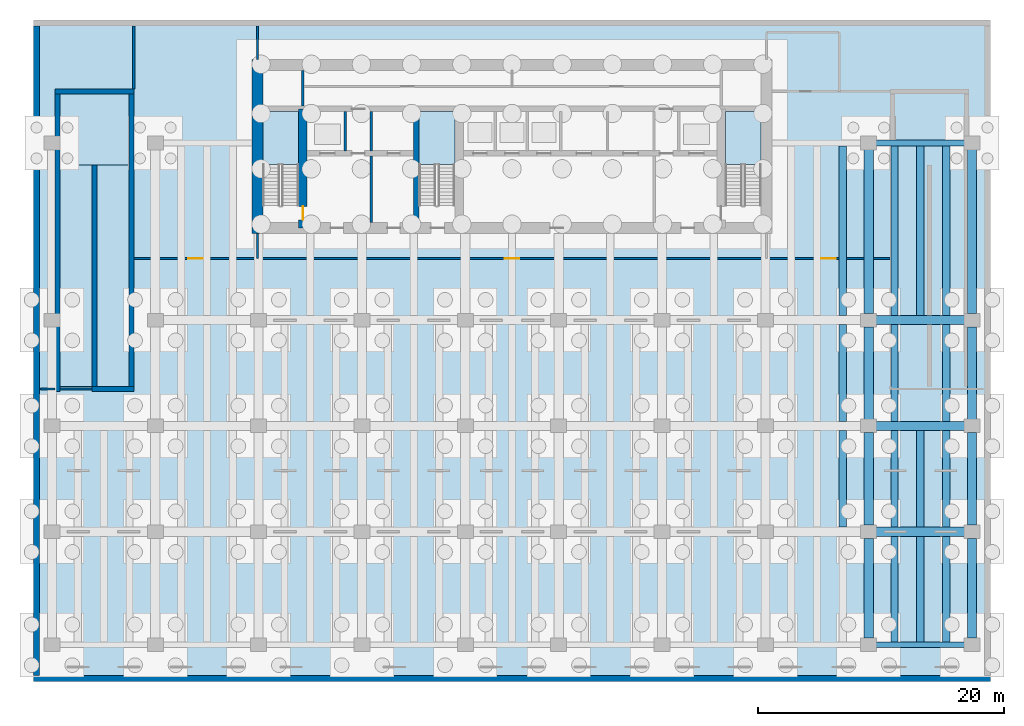
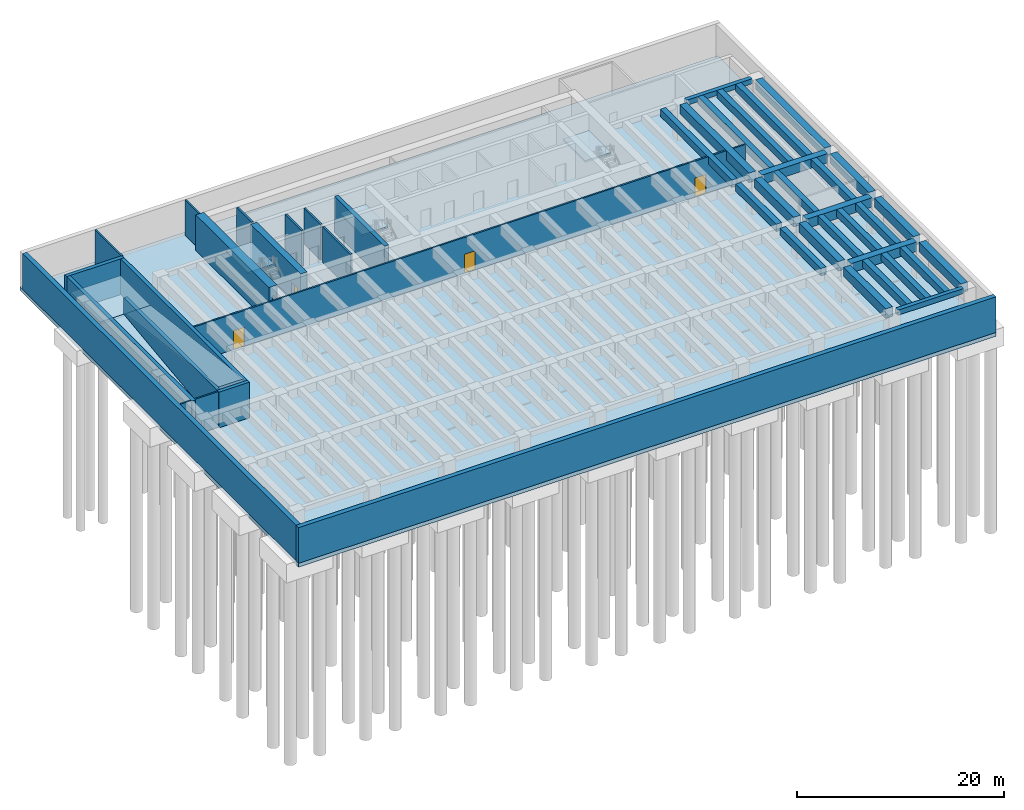
# One storey, part 4 of 10: 27 beams, 20 walls, 7 slabs, 4 doors, 4 openings, 3 elements without a shape of their own.
"""IFC4 building model written with IfcOpenShell, lengths in metres."""

from ifc_helpers import new_model, si_unit, direction, frame, frame_2d, origin, origin_2d, place, context, subcontext, project, spatial, polyline, rectangle, outline, extrude, material, layer, layer_set, material_profile, profile_set, type_object, element, fill, aggregate, save


model = new_model("IFC4")

# Units and contexts
model_context = context("Model", 3, precision=1e-05, world=origin(), true_north=direction((0.0, 1.0)))
body_context = subcontext(model_context, "Body", "Model", "MODEL_VIEW")
ifc_project = project(units=[si_unit("LENGTHUNIT", "METRE"), si_unit("AREAUNIT", "SQUARE_METRE"), si_unit("VOLUMEUNIT", "CUBIC_METRE"), si_unit("PLANEANGLEUNIT", "RADIAN"), si_unit("MASSUNIT", "GRAM", prefix="KILO")], contexts=[model_context])

# Site, building, storey
site_placement = place(None, origin())
site = spatial("IfcSite", under=ifc_project, at=site_placement, CompositionType="ELEMENT")
building_placement = place(site_placement, origin())
building = spatial("IfcBuilding", under=site, at=building_placement, Name="Caelmar Bay Residences", CompositionType="ELEMENT")
storey_placement = place(building_placement, frame((0.0, 0.0, -9.0)))
storey = spatial("IfcBuildingStorey", under=building, at=storey_placement, Name="B02", CompositionType="ELEMENT", Elevation=-9.0)

# Beams
ifc_material_1 = material(Name="Concrete f'c 40 MPa (6,000 psi)", Category="concrete")
ifc_material_profile_1 = material_profile(ifc_material_1, rectangle(XDim=0.449951171875, YDim=0.60009765625, at=origin_2d()), Name="RC-BM-450X600")
ifc_profile_set_1 = profile_set([ifc_material_profile_1], Name="Concrete f'c 40 MPa (6,000 psi)")
beam_type_1 = type_object("IfcBeamType", Name="BM-RC-450X600", PredefinedType="SPANDREL", material=ifc_profile_set_1)
for number, where, z_axis, x_axis, name in (
    (1, (68.43994140625, 3.0, 3.89990234375), (1.0, 0.0, 0.0), (0.0, 1.0, 0.0), "B02 East-West Girder Y=3.00 (67.9-76.3)"),
    (2, (68.43994140625, 43.800048828125, 3.89990234375), (1.0, 0.0, 0.0), (0.0, 1.0, 0.0), "B02 East-West Girder Y=43.80 (67.9-76.3)"),
):
    element("IfcBeam", number, at=place(storey_placement, frame(where, z_axis=z_axis, x_axis=x_axis)), inside=storey, type_object=beam_type_1, Name=name, PredefinedType="SPANDREL", context=body_context, shape_type="SweptSolid", body=[
        extrude(rectangle(XDim=0.449951171875, YDim=0.60009765625, at=origin_2d()), origin(), (0.0, 0.0, 1.0), 7.320068359375),
    ])
ifc_material_2 = material(Name="Concrete f'c 70 MPa (10,000 psi)", Category="concrete")
ifc_material_profile_2 = material_profile(ifc_material_2, rectangle(XDim=0.60009765625, YDim=0.85009765625, at=origin_2d()), Name="RC-BM-600X850")
ifc_profile_set_2 = profile_set([ifc_material_profile_2], Name="Concrete f'c 70 MPa (10,000 psi)")
beam_type_2 = type_object("IfcBeamType", Name="BM-RC-600X850", PredefinedType="BEAM", material=ifc_profile_set_2)
for number, where, z_axis, x_axis, name in (
    (3, (70.0, 3.22509765625, 3.77490234375), (0.0, 1.0, 0.0), (-1.0, 0.0, 0.0), "B02 Composite Floor Joist 25"),
    (4, (72.10009765625, 3.22509765625, 3.77490234375), (0.0, 1.0, 0.0), (-1.0, 0.0, 0.0), "B02 Composite Floor Joist 26"),
    (5, (74.199951171875, 3.22509765625, 3.77490234375), (0.0, 1.0, 0.0), (-1.0, 0.0, 0.0), "B02 Composite Floor Joist 27"),
):
    element("IfcBeam", number, at=place(storey_placement, frame(where, z_axis=z_axis, x_axis=x_axis)), inside=storey, type_object=beam_type_2, Name=name, PredefinedType="BEAM", context=body_context, shape_type="SweptSolid", body=[
        extrude(rectangle(XDim=0.60009765625, YDim=0.85009765625, at=origin_2d()), origin(), (0.0, 0.0, 1.0), 8.599853515625),
    ])
for number, where, z_axis, x_axis, name in (
    (6, (65.800048828125, 12.574951171875, 3.77490234375), (0.0, 1.0, 0.0), (-1.0, 0.0, 0.0), "B02 Composite Floor Joist 51"),
    (7, (70.0, 12.574951171875, 3.77490234375), (0.0, 1.0, 0.0), (-1.0, 0.0, 0.0), "B02 Composite Floor Joist 52"),
    (8, (72.10009765625, 12.574951171875, 3.77490234375), (0.0, 1.0, 0.0), (-1.0, 0.0, 0.0), "B02 Composite Floor Joist 53"),
    (9, (74.199951171875, 12.574951171875, 3.77490234375), (0.0, 1.0, 0.0), (-1.0, 0.0, 0.0), "B02 Composite Floor Joist 54"),
):
    element("IfcBeam", number, at=place(storey_placement, frame(where, z_axis=z_axis, x_axis=x_axis)), inside=storey, type_object=beam_type_2, Name=name, PredefinedType="BEAM", context=body_context, shape_type="SweptSolid", body=[
        extrude(rectangle(XDim=0.60009765625, YDim=0.85009765625, at=origin_2d()), origin(), (0.0, 0.0, 1.0), 7.85009765625),
    ])
for number, where, z_axis, x_axis, name in (
    (10, (65.800048828125, 21.175048828125, 3.77490234375), (0.0, 1.0, 0.0), (-1.0, 0.0, 0.0), "B02 Composite Floor Joist 75"),
    (11, (70.0, 21.175048828125, 3.77490234375), (0.0, 1.0, 0.0), (-1.0, 0.0, 0.0), "B02 Composite Floor Joist 76"),
    (12, (74.199951171875, 21.175048828125, 3.77490234375), (0.0, 1.0, 0.0), (-1.0, 0.0, 0.0), "B02 Composite Floor Joist 77"),
):
    element("IfcBeam", number, at=place(storey_placement, frame(where, z_axis=z_axis, x_axis=x_axis)), inside=storey, type_object=beam_type_2, Name=name, PredefinedType="BEAM", context=body_context, shape_type="SweptSolid", body=[
        extrude(rectangle(XDim=0.60009765625, YDim=0.85009765625, at=origin_2d()), origin(), (0.0, 0.0, 1.0), 7.849853515625),
    ])
for number, where, z_axis, x_axis, name in (
    (13, (65.800048828125, 29.77490234375, 3.77490234375), (0.0, 1.0, 0.0), (-1.0, 0.0, 0.0), "B02 Composite Floor Joist 88"),
    (14, (70.0, 29.77490234375, 3.77490234375), (0.0, 1.0, 0.0), (-1.0, 0.0, 0.0), "B02 Composite Floor Joist 89"),
    (15, (72.10009765625, 29.77490234375, 3.77490234375), (0.0, 1.0, 0.0), (-1.0, 0.0, 0.0), "B02 Composite Floor Joist 90"),
    (16, (74.199951171875, 29.77490234375, 3.77490234375), (0.0, 1.0, 0.0), (-1.0, 0.0, 0.0), "B02 Composite Floor Joist 91"),
):
    element("IfcBeam", number, at=place(storey_placement, frame(where, z_axis=z_axis, x_axis=x_axis)), inside=storey, type_object=beam_type_2, Name=name, PredefinedType="BEAM", context=body_context, shape_type="SweptSolid", body=[
        extrude(rectangle(XDim=0.60009765625, YDim=0.85009765625, at=origin_2d()), origin(), (0.0, 0.0, 1.0), 13.800048828125),
    ])
ifc_material_profile_3 = material_profile(ifc_material_2, rectangle(XDim=0.75, YDim=1.10009765625, at=origin_2d()), Name="RC-BM-750X1100")
ifc_profile_set_3 = profile_set([ifc_material_profile_3], Name="Concrete f'c 70 MPa (10,000 psi)")
beam_type_3 = type_object("IfcBeamType", Name="BM-RC-750X1100", PredefinedType="BEAM", material=ifc_profile_set_3)
for number, where, z_axis, x_axis, name in (
    (17, (68.43994140625, 12.199951171875, 3.64990234375), (1.0, 0.0, 0.0), (0.0, 1.0, 0.0), "B02 East-West Girder Y=12.20 (67.9-76.3)"),
    (18, (68.43994140625, 20.800048828125, 3.64990234375), (1.0, 0.0, 0.0), (0.0, 1.0, 0.0), "B02 East-West Girder Y=20.80 (67.9-76.3)"),
    (19, (68.43994140625, 29.39990234375, 3.64990234375), (1.0, 0.0, 0.0), (0.0, 1.0, 0.0), "B02 East-West Girder Y=29.40 (67.9-76.3)"),
):
    element("IfcBeam", number, at=place(storey_placement, frame(where, z_axis=z_axis, x_axis=x_axis)), inside=storey, type_object=beam_type_3, Name=name, PredefinedType="BEAM", context=body_context, shape_type="SweptSolid", body=[
        extrude(rectangle(XDim=0.75, YDim=1.10009765625, at=origin_2d()), origin(), (0.0, 0.0, 1.0), 7.320068359375),
    ])
beam_1_placement = place(storey_placement, frame((67.89990234375, 3.5400390625, 3.64990234375), z_axis=(0.0, 1.0, 0.0), x_axis=(-1.0, 0.0, 0.0)))
element("IfcBeam", 20, at=beam_1_placement, inside=storey, type_object=beam_type_3, Name="B02 North-South Girder X=67.90 (3.0-12.2)", PredefinedType="BEAM", context=body_context, shape_type="SweptSolid", body=[
    extrude(rectangle(XDim=0.75, YDim=1.10009765625, at=origin_2d()), origin(), (0.0, 0.0, 1.0), 8.119873046875),
])
for number, where, z_axis, x_axis, name in (
    (21, (67.89990234375, 12.739990234375, 3.64990234375), (0.0, 1.0, 0.0), (-1.0, 0.0, 0.0), "B02 North-South Girder X=67.90 (12.2-20.8)"),
    (22, (67.89990234375, 21.340087890625, 3.64990234375), (0.0, 1.0, 0.0), (-1.0, 0.0, 0.0), "B02 North-South Girder X=67.90 (20.8-29.4)"),
):
    element("IfcBeam", number, at=place(storey_placement, frame(where, z_axis=z_axis, x_axis=x_axis)), inside=storey, type_object=beam_type_3, Name=name, PredefinedType="BEAM", context=body_context, shape_type="SweptSolid", body=[
        extrude(rectangle(XDim=0.75, YDim=1.10009765625, at=origin_2d()), origin(), (0.0, 0.0, 1.0), 7.52001953125),
    ])
beam_2_placement = place(storey_placement, frame((67.89990234375, 29.93994140625, 3.64990234375), z_axis=(0.0, 1.0, 0.0), x_axis=(-1.0, 0.0, 0.0)))
element("IfcBeam", 23, at=beam_2_placement, inside=storey, type_object=beam_type_3, Name="B02 North-South Girder X=67.90 (29.4-43.8)", PredefinedType="BEAM", context=body_context, shape_type="SweptSolid", body=[
    extrude(rectangle(XDim=0.75, YDim=1.10009765625, at=origin_2d()), origin(), (0.0, 0.0, 1.0), 13.320068359375),
])
beam_3_placement = place(storey_placement, frame((76.300048828125, 3.5400390625, 3.64990234375), z_axis=(0.0, 1.0, 0.0), x_axis=(-1.0, 0.0, 0.0)))
element("IfcBeam", 24, at=beam_3_placement, inside=storey, type_object=beam_type_3, Name="B02 North-South Girder X=76.30 (3.0-12.2)", PredefinedType="BEAM", context=body_context, shape_type="SweptSolid", body=[
    extrude(rectangle(XDim=0.75, YDim=1.10009765625, at=origin_2d()), origin(), (0.0, 0.0, 1.0), 8.119873046875),
])
for number, where, z_axis, x_axis, name in (
    (25, (76.300048828125, 12.739990234375, 3.64990234375), (0.0, 1.0, 0.0), (-1.0, 0.0, 0.0), "B02 North-South Girder X=76.30 (12.2-20.8)"),
    (26, (76.300048828125, 21.340087890625, 3.64990234375), (0.0, 1.0, 0.0), (-1.0, 0.0, 0.0), "B02 North-South Girder X=76.30 (20.8-29.4)"),
):
    element("IfcBeam", number, at=place(storey_placement, frame(where, z_axis=z_axis, x_axis=x_axis)), inside=storey, type_object=beam_type_3, Name=name, PredefinedType="BEAM", context=body_context, shape_type="SweptSolid", body=[
        extrude(rectangle(XDim=0.75, YDim=1.10009765625, at=origin_2d()), origin(), (0.0, 0.0, 1.0), 7.52001953125),
    ])
beam_4_placement = place(storey_placement, frame((76.300048828125, 29.93994140625, 3.64990234375), z_axis=(0.0, 1.0, 0.0), x_axis=(-1.0, 0.0, 0.0)))
element("IfcBeam", 27, at=beam_4_placement, inside=storey, type_object=beam_type_3, Name="B02 North-South Girder X=76.30 (29.4-43.8)", PredefinedType="BEAM", context=body_context, shape_type="SweptSolid", body=[
    extrude(rectangle(XDim=0.75, YDim=1.10009765625, at=origin_2d()), origin(), (0.0, 0.0, 1.0), 13.320068359375),
])

# Slab
ifc_layer_1 = layer(ifc_material_1, 0.449951171875)
ifc_layer_set_1 = layer_set([ifc_layer_1], Name="Concrete f'c 40 MPa (6,000 psi)")
slab_type_1 = type_object("IfcSlabType", Name="SLB-BAS-450", PredefinedType="BASESLAB", material=ifc_layer_set_1)
slab_1_placement = place(storey_placement, frame((0.0, 0.0, -0.449951171875)))
element("IfcSlab", 28, at=slab_1_placement, inside=storey, type_object=slab_type_1, Name="B02 Structural Floor Slab", PredefinedType="BASESLAB", context=body_context, shape_type="SweptSolid", body=[
    extrude(outline(polyline([(0.0, 0.0), (77.800048828125, 0.0), (77.800048828125, 53.800048828125), (0.0, 53.800048828125), (0.0, 0.0)]), holes=[polyline([(2.14990234375, 24.0), (4.949951171875, 24.0), (4.949951171875, 26.35009765625), (2.14990234375, 26.35009765625), (2.14990234375, 24.0)])]), origin(), (0.0, 0.0, 1.0), 0.449951171875),
])

# Stair, slab
stair_type = type_object("IfcStairType", Name="ST-BSM-173", PredefinedType="HALF_TURN_STAIR", material=ifc_material_1)
stair_1_placement = place(storey_placement, origin())
stair_1 = element("IfcStair", 29, at=stair_1_placement, inside=storey, type_object=stair_type, Name="B02 West Smokeproof Exit Stair ST1", PredefinedType="HALF_TURN_STAIR")
ifc_layer_2 = layer(ifc_material_1, 0.199951171875)
ifc_layer_set_2 = layer_set([ifc_layer_2], Name="Concrete f'c 40 MPa (6,000 psi)")
slab_type_2 = type_object("IfcSlabType", Name="SLB-LND-200", PredefinedType="LANDING", material=ifc_layer_set_2)
slab_2_placement = place(storey_placement, frame((0.0, 0.0, 2.050048828125)))
slab_2 = element("IfcSlab", 30, at=slab_2_placement, type_object=slab_type_2, Name="ST1 landing 1", PredefinedType="LANDING", context=body_context, shape_type="SweptSolid", body=[
    extrude(outline(polyline([(21.550048828125, 42.06005859375), (21.550048828125, 46.35009765625), (18.64990234375, 46.35009765625), (18.64990234375, 42.06005859375), (21.550048828125, 42.06005859375)])), origin(), (0.0, 0.0, 1.0), 0.199951171875),
])
aggregate(stair_1, [slab_2])

stair_2_placement = place(storey_placement, origin())
stair_2 = element("IfcStair", 31, at=stair_2_placement, inside=storey, type_object=stair_type, Name="B02 East Smokeproof Exit Stair ST2", PredefinedType="HALF_TURN_STAIR")
slab_3_placement = place(storey_placement, frame((0.0, 0.0, 2.050048828125)))
slab_3 = element("IfcSlab", 32, at=slab_3_placement, type_object=slab_type_2, Name="ST2 landing 1", PredefinedType="LANDING", context=body_context, shape_type="SweptSolid", body=[
    extrude(outline(polyline([(59.14990234375, 42.06005859375), (59.14990234375, 46.35009765625), (56.25, 46.35009765625), (56.25, 42.06005859375), (59.14990234375, 42.06005859375)])), origin(), (0.0, 0.0, 1.0), 0.199951171875),
])
aggregate(stair_2, [slab_3])

stair_3_placement = place(storey_placement, origin())
stair_3 = element("IfcStair", 33, at=stair_3_placement, inside=storey, type_object=stair_type, Name="B02 Central Smokeproof Exit Stair ST3", PredefinedType="HALF_TURN_STAIR")
slab_4_placement = place(storey_placement, frame((0.0, 0.0, 2.050048828125)))
slab_4 = element("IfcSlab", 34, at=slab_4_placement, type_object=slab_type_2, Name="ST3 landing 1", PredefinedType="LANDING", context=body_context, shape_type="SweptSolid", body=[
    extrude(outline(polyline([(34.25, 42.06005859375), (34.25, 46.35009765625), (31.35009765625, 46.35009765625), (31.35009765625, 42.06005859375), (34.25, 42.06005859375)])), origin(), (0.0, 0.0, 1.0), 0.199951171875),
])
aggregate(stair_3, [slab_4])

# Slabs
ifc_layer_3 = layer(ifc_material_1, 0.280029296875)
ifc_layer_set_3 = layer_set([ifc_layer_3], Name="Concrete f'c 40 MPa (6,000 psi)")
slab_type_3 = type_object("IfcSlabType", Name="SLB-RLND-280", PredefinedType="LANDING", material=ifc_layer_set_3)
slab_5_placement = place(storey_placement, frame((0.0, 0.0, 1.969970703125)))
element("IfcSlab", 35, at=slab_5_placement, inside=storey, type_object=slab_type_3, Name="Car park vehicle ramp B02 to B01 Half-Turn Landing", PredefinedType="LANDING", context=body_context, shape_type="SweptSolid", body=[
    extrude(outline(polyline([(2.14990234375, 42.0), (7.75, 42.0), (7.75, 47.800048828125), (2.14990234375, 47.800048828125), (2.14990234375, 42.0)])), origin(), (0.0, 0.0, 1.0), 0.280029296875),
])
ifc_layer_4 = layer(ifc_material_1, 0.280029296875)
ifc_layer_set_4 = layer_set([ifc_layer_4], Name="Concrete f'c 40 MPa (6,000 psi)")
slab_type_4 = type_object("IfcSlabType", Name="SLB-VRMP-280", PredefinedType="USERDEFINED", material=ifc_layer_set_4)
slab_6_placement = place(storey_placement, frame((2.14990234375, 24.0, 0.0), z_axis=(0.0, -0.124034734589, 0.992277876714), x_axis=(1.0, 0.0, 0.0)))
element("IfcSlab", 36, at=slab_6_placement, inside=storey, type_object=slab_type_4, Name="Car park vehicle ramp B02 to B01 Lower Structural Ramp Slab", ObjectType="VEHICLE_RAMP", PredefinedType="USERDEFINED", context=body_context, shape_type="SweptSolid", body=[
    extrude(outline(polyline([(0.0, 0.0), (2.800048828125, 0.0), (2.800048828125, 18.140079933671736), (0.0, 18.140079933671736), (0.0, 0.0)])), origin(), (0.0, 0.0, -1.0), 0.280029296875),
])
slab_7_placement = place(storey_placement, frame((4.949951171875, 42.0, 2.25), z_axis=(0.0, 0.124034734589, 0.992277876714), x_axis=(1.0, 0.0, 0.0)))
element("IfcSlab", 37, at=slab_7_placement, inside=storey, type_object=slab_type_4, Name="Car park vehicle ramp B02 to B01 Upper Structural Ramp Slab", ObjectType="VEHICLE_RAMP", PredefinedType="USERDEFINED", context=body_context, shape_type="SweptSolid", body=[
    extrude(outline(polyline([(0.0, 0.0), (2.800048828125, 0.0), (2.800048828125, -18.140079933671736), (0.0, -18.140079933671736), (0.0, 0.0)])), origin(), (0.0, 0.0, -1.0), 0.280029296875),
])

# Walls
ifc_layer_5 = layer(ifc_material_1, 0.5)
ifc_layer_set_5 = layer_set([ifc_layer_5], Name="Concrete f'c 40 MPa (6,000 psi)")
wall_type_1 = type_object("IfcWallType", Name="SW-BSM-500", PredefinedType="SOLIDWALL", material=ifc_layer_set_5)
wall_1_placement = place(storey_placement, frame((77.800048828125, 0.25, 0.0), z_axis=(0.0, 0.0, 1.0), x_axis=(-1.0, 0.0, 0.0)))
element("IfcWall", 38, at=wall_1_placement, inside=storey, type_object=wall_type_1, Name="B02 Perimeter Concrete Retaining Wall S", PredefinedType="SOLIDWALL", context=body_context, shape_type="SweptSolid", body=[
    extrude(rectangle(XDim=77.800048828125, YDim=0.5, at=frame_2d((38.89990234375, 0.0))), origin(), (0.0, 0.0, 1.0), 4.199951171875),
])
wall_2_placement = place(storey_placement, frame((0.25, 0.5, 0.0), z_axis=(0.0, 0.0, 1.0), x_axis=(0.0, 1.0, 0.0)))
element("IfcWall", 39, at=wall_2_placement, inside=storey, type_object=wall_type_1, Name="B02 Perimeter Concrete Retaining Wall W", PredefinedType="SOLIDWALL", context=body_context, shape_type="SweptSolid", body=[
    extrude(rectangle(XDim=52.800048828125, YDim=0.5, at=frame_2d((26.39990234375, 0.0))), origin(), (0.0, 0.0, 1.0), 4.199951171875),
])

# Wall, opening, door
ifc_material_3 = material(Name="Concrete f'c 55 MPa (8,000 psi)", Category="concrete")
ifc_layer_6 = layer(ifc_material_3, 0.699951171875)
ifc_layer_set_6 = layer_set([ifc_layer_6], Name="Concrete f'c 55 MPa (8,000 psi)")
wall_type_2 = type_object("IfcWallType", Name="SW-COR-700", PredefinedType="SHEAR", material=ifc_layer_set_6)
wall_3_placement = place(storey_placement, frame((21.89990234375, 36.89990234375, 0.0), z_axis=(0.0, 0.0, 1.0), x_axis=(0.0, 1.0, 0.0)))
wall_3 = element("IfcWall", 40, at=wall_3_placement, inside=storey, type_object=wall_type_2, Name="B02 Core Structural Web Wall ST1E", PredefinedType="SHEAR", context=body_context, shape_type="SweptSolid", body=[
    extrude(rectangle(XDim=9.675048828125, YDim=0.699951171875, at=frame_2d((4.83740234375, 0.0))), origin(), (0.0, 0.0, 1.0), 4.199951171875),
])
opening_1_placement = place(wall_3_placement, frame((0.64990234375, 0.0, 0.0)))
opening_1 = element("IfcOpeningElement", 41, at=opening_1_placement, cuts=wall_3, Name="Opening D-B02-108", PredefinedType="OPENING", context=body_context, shape_type="SweptSolid", body=[
    extrude(rectangle(XDim=1.10009765625, YDim=2.14990234375, at=frame_2d((0.550048828125, 1.074951171875))), frame((0.0, 0.35986328125, 0.0), z_axis=(0.0, -1.0, 0.0), x_axis=(1.0, 0.0, 0.0)), (0.0, 0.0, 1.0), 0.719970703125),
])
ifc_material_4 = material(Name="Fire-rated steel and walnut architectural door assembly", Category="steel")
ifc_layer_7 = layer(ifc_material_4, 0.050048828125)
ifc_layer_set_7 = layer_set([ifc_layer_7], Name="Fire-rated steel and walnut architectural door assembly")
door_type_1 = type_object("IfcDoorType", Name="D-STAIR-1100", OperationType="NOTDEFINED", PredefinedType="DOOR", material=ifc_layer_set_7)
door_1_placement = place(opening_1_placement, origin())
door_1 = element("IfcDoor", 42, at=door_1_placement, inside=storey, type_object=door_type_1, Name="B02 Firefighting Lobby West Door", OperationType="SINGLE_SWING_LEFT", OverallHeight=2.14990234375, OverallWidth=1.10009765625, PredefinedType="DOOR", context=body_context, shape_type="SweptSolid", body=[
    extrude(rectangle(XDim=1.10009765625, YDim=2.14990234375, at=frame_2d((0.550048828125, 1.074951171875))), frame((0.0, 0.02490234375, 0.0), z_axis=(0.0, -1.0, 0.0), x_axis=(1.0, 0.0, 0.0)), (0.0, 0.0, 1.0), 0.050048828125),
])
fill(opening_1, door_1)

# Walls
ifc_layer_8 = layer(ifc_material_2, 0.89990234375)
ifc_layer_set_8 = layer_set([ifc_layer_8], Name="Concrete f'c 70 MPa (10,000 psi)")
wall_type_3 = type_object("IfcWallType", Name="SW-COR-900", PredefinedType="SHEAR", material=ifc_layer_set_8)
wall_4_placement = place(storey_placement, frame((18.199951171875, 36.449951171875, 0.0), z_axis=(0.0, 0.0, 1.0), x_axis=(0.0, 1.0, 0.0)))
element("IfcWall", 43, at=wall_4_placement, inside=storey, type_object=wall_type_3, Name="B02 Rear Core West Shear Wall", PredefinedType="SHEAR", context=body_context, shape_type="SweptSolid", body=[
    extrude(rectangle(XDim=14.150146484375, YDim=0.89990234375, at=frame_2d((7.0751953125, 0.0))), origin(), (0.0, 0.0, 1.0), 4.199951171875),
])
ifc_layer_9 = layer(ifc_material_1, 0.39990234375)
ifc_layer_set_9 = layer_set([ifc_layer_9], Name="Concrete f'c 40 MPa (6,000 psi)")
wall_type_4 = type_object("IfcWallType", Name="SW-RMP-400", PredefinedType="SHEAR", material=ifc_layer_set_9)
wall_5_placement = place(storey_placement, frame((1.75, 48.0, 0.0), z_axis=(0.0, 0.0, 1.0), x_axis=(1.0, 0.0, 0.0)))
element("IfcWall", 44, at=wall_5_placement, inside=storey, type_object=wall_type_4, Name="Car park vehicle ramp B02 to B01 Structural Enclosure Wall N", PredefinedType="SHEAR", context=body_context, shape_type="SweptSolid", body=[
    extrude(rectangle(XDim=6.39990234375, YDim=0.39990234375, at=frame_2d((3.199951171875, 0.0))), origin(), (0.0, 0.0, 1.0), 4.199951171875),
])
for number, where, z_axis, x_axis, name in (
    (45, (1.949951171875, 23.60009765625, 0.0), (0.0, 0.0, 1.0), (0.0, 1.0, 0.0), "Car park vehicle ramp B02 to B01 Structural Enclosure Wall W"),
    (46, (7.949951171875, 23.60009765625, 0.0), (0.0, 0.0, 1.0), (0.0, 1.0, 0.0), "Car park vehicle ramp B02 to B01 Structural Enclosure Wall E"),
):
    element("IfcWall", number, at=place(storey_placement, frame(where, z_axis=z_axis, x_axis=x_axis)), inside=storey, type_object=wall_type_4, Name=name, PredefinedType="SHEAR", context=body_context, shape_type="SweptSolid", body=[
        extrude(rectangle(XDim=24.199951171875, YDim=0.39990234375, at=frame_2d((12.10009765625, 0.0))), origin(), (0.0, 0.0, 1.0), 4.199951171875),
    ])
wall_6_placement = place(storey_placement, frame((4.949951171875, 23.60009765625, 0.0), z_axis=(0.0, 0.0, 1.0), x_axis=(0.0, 1.0, 0.0)))
element("IfcWall", 47, at=wall_6_placement, inside=storey, type_object=wall_type_4, Name="Car park vehicle ramp B02 to B01 Structural Enclosure Wall M", PredefinedType="SHEAR", context=body_context, shape_type="SweptSolid", body=[
    extrude(rectangle(XDim=18.39990234375, YDim=0.39990234375, at=frame_2d((9.199951171875, 0.0))), origin(), (0.0, 0.0, 1.0), 4.199951171875),
])
wall_7_placement = place(storey_placement, frame((4.75, 23.800048828125, 0.0), z_axis=(0.0, 0.0, 1.0), x_axis=(1.0, 0.0, 0.0)))
element("IfcWall", 48, at=wall_7_placement, inside=storey, type_object=wall_type_4, Name="Car park vehicle ramp B02 to B01 Structural Enclosure Wall SE", PredefinedType="SHEAR", context=body_context, shape_type="SweptSolid", body=[
    extrude(rectangle(XDim=3.39990234375, YDim=0.39990234375, at=frame_2d((1.699951171875, 0.0))), origin(), (0.0, 0.0, 1.0), 4.199951171875),
])
ifc_layer_10 = layer(ifc_material_2, 0.449951171875)
ifc_layer_set_10 = layer_set([ifc_layer_10], Name="Concrete f'c 70 MPa (10,000 psi)")
wall_type_5 = type_object("IfcWallType", Name="SW-WEB-450", PredefinedType="SHEAR", material=ifc_layer_set_10)
wall_8_placement = place(storey_placement, frame((31.125, 36.89990234375, 0.0), z_axis=(0.0, 0.0, 1.0), x_axis=(0.0, 1.0, 0.0)))
element("IfcWall", 49, at=wall_8_placement, inside=storey, type_object=wall_type_5, Name="B02 Core Structural Web Wall ST3W", PredefinedType="SHEAR", context=body_context, shape_type="SweptSolid", body=[
    extrude(rectangle(XDim=9.675048828125, YDim=0.449951171875, at=frame_2d((4.83740234375, 0.0))), origin(), (0.0, 0.0, 1.0), 4.199951171875),
])
ifc_material_5 = material(Name="Double-stud acoustic fire-rated gypsum partition 180 mm")
ifc_layer_11 = layer(ifc_material_5, 0.179931640625)
ifc_layer_set_11 = layer_set([ifc_layer_11], Name="Double-stud acoustic fire-rated gypsum partition 180 mm")
wall_type_6 = type_object("IfcWallType", Name="W-COR-200", PredefinedType="PARTITIONING", material=ifc_layer_set_11)
wall_9_placement = place(storey_placement, frame((8.14990234375, 48.195068359375, 0.0), z_axis=(0.0, 0.0, 1.0), x_axis=(0.0, 1.0, 0.0)))
element("IfcWall", 50, at=wall_9_placement, inside=storey, type_object=wall_type_6, Name="B02 Partition Wall V001", PredefinedType="PARTITIONING", context=body_context, shape_type="SweptSolid", body=[
    extrude(rectangle(XDim=5.10498046875, YDim=0.179931640625, at=frame_2d((2.552490234375, 0.0))), origin(), (0.0, 0.0, 1.0), 4.199951171875),
])
wall_10_placement = place(storey_placement, frame((18.199951171875, 34.39990234375, 0.0), z_axis=(0.0, 0.0, 1.0), x_axis=(0.0, 1.0, 0.0)))
element("IfcWall", 51, at=wall_10_placement, inside=storey, type_object=wall_type_6, Name="B02 Partition Wall V002", PredefinedType="PARTITIONING", context=body_context, shape_type="SweptSolid", body=[
    extrude(rectangle(XDim=2.045166015625, YDim=0.179931640625, at=frame_2d((1.0224609375, 0.0))), origin(), (0.0, 0.0, 1.0), 3.0849609375),
])
wall_11_placement = place(storey_placement, frame((18.199951171875, 50.60498046875, 0.0), z_axis=(0.0, 0.0, 1.0), x_axis=(0.0, 1.0, 0.0)))
element("IfcWall", 52, at=wall_11_placement, inside=storey, type_object=wall_type_6, Name="B02 Partition Wall V003", PredefinedType="PARTITIONING", context=body_context, shape_type="SweptSolid", body=[
    extrude(rectangle(XDim=2.695068359375, YDim=0.179931640625, at=frame_2d((1.34765625, 0.0))), origin(), (0.0, 0.0, 1.0), 4.199951171875),
])
wall_12_placement = place(storey_placement, frame((27.449951171875, 43.169921875, 0.0), z_axis=(0.0, 0.0, 1.0), x_axis=(0.0, 1.0, 0.0)))
element("IfcWall", 53, at=wall_12_placement, inside=storey, type_object=wall_type_6, Name="B02 Partition Wall V007", PredefinedType="PARTITIONING", context=body_context, shape_type="SweptSolid", body=[
    extrude(rectangle(XDim=3.18505859375, YDim=0.179931640625, at=frame_2d((1.592529296875, 0.0))), origin(), (0.0, 0.0, 1.0), 4.199951171875),
])
wall_13_placement = place(storey_placement, frame((0.550048828125, 23.800048828125, 0.0), z_axis=(0.0, 0.0, 1.0), x_axis=(1.0, 0.0, 0.0)))
element("IfcWall", 54, at=wall_13_placement, inside=storey, type_object=wall_type_6, Name="B02 Partition Wall H021", PredefinedType="PARTITIONING", context=body_context, shape_type="SweptSolid", body=[
    extrude(rectangle(XDim=1.204833984375, YDim=0.179931640625, at=frame_2d((0.6025390625, 0.0))), origin(), (0.0, 0.0, 1.0), 4.199951171875),
])
wall_14_placement = place(storey_placement, frame((2.14501953125, 23.800048828125, 0.0), z_axis=(0.0, 0.0, 1.0), x_axis=(1.0, 0.0, 0.0)))
element("IfcWall", 55, at=wall_14_placement, inside=storey, type_object=wall_type_6, Name="B02 Partition Wall H022", PredefinedType="PARTITIONING", context=body_context, shape_type="SweptSolid", body=[
    extrude(rectangle(XDim=2.60009765625, YDim=0.179931640625, at=frame_2d((1.300048828125, 0.0))), origin(), (0.0, 0.0, 1.0), 4.199951171875),
])

# Wall, openings, doors
wall_15_placement = place(storey_placement, frame((8.14990234375, 34.39990234375, 0.0), z_axis=(0.0, 0.0, 1.0), x_axis=(1.0, 0.0, 0.0)))
wall_15 = element("IfcWall", 56, at=wall_15_placement, inside=storey, type_object=wall_type_6, Name="B02 Partition Wall H024", PredefinedType="PARTITIONING", context=body_context, shape_type="SweptSolid", body=[
    extrude(rectangle(XDim=61.5, YDim=0.179931640625, at=frame_2d((30.75, 0.0))), origin(), (0.0, 0.0, 1.0), 4.199951171875),
])
opening_2_placement = place(wall_15_placement, frame((30.14990234375, 0.0, 0.0)))
opening_2 = element("IfcOpeningElement", 57, at=opening_2_placement, cuts=wall_15, Name="Opening D-B02-122", PredefinedType="OPENING", context=body_context, shape_type="SweptSolid", body=[
    extrude(rectangle(XDim=1.199951171875, YDim=2.199951171875, at=frame_2d((0.60009765625, 1.10009765625))), frame((0.0, 0.099853515625, 0.0), z_axis=(0.0, -1.0, 0.0), x_axis=(1.0, 0.0, 0.0)), (0.0, 0.0, 1.0), 0.199951171875),
])
opening_3_placement = place(wall_15_placement, frame((4.425048828125, 0.0, 0.0)))
opening_3 = element("IfcOpeningElement", 58, at=opening_3_placement, cuts=wall_15, Name="Opening D-B02-123", PredefinedType="OPENING", context=body_context, shape_type="SweptSolid", body=[
    extrude(rectangle(XDim=1.199951171875, YDim=2.199951171875, at=frame_2d((0.60009765625, 1.10009765625))), frame((0.0, 0.099853515625, 0.0), z_axis=(0.0, -1.0, 0.0), x_axis=(1.0, 0.0, 0.0)), (0.0, 0.0, 1.0), 0.199951171875),
])
opening_4_placement = place(wall_15_placement, frame((55.875, 0.0, 0.0)))
opening_4 = element("IfcOpeningElement", 59, at=opening_4_placement, cuts=wall_15, Name="Opening D-B02-124", PredefinedType="OPENING", context=body_context, shape_type="SweptSolid", body=[
    extrude(rectangle(XDim=1.199951171875, YDim=2.199951171875, at=frame_2d((0.60009765625, 1.10009765625))), frame((0.0, 0.099853515625, 0.0), z_axis=(0.0, -1.0, 0.0), x_axis=(1.0, 0.0, 0.0)), (0.0, 0.0, 1.0), 0.199951171875),
])
ifc_layer_12 = layer(ifc_material_4, 0.050048828125)
ifc_layer_set_12 = layer_set([ifc_layer_12], Name="Fire-rated steel and walnut architectural door assembly")
door_type_2 = type_object("IfcDoorType", Name="D-PLANT-1200", OperationType="NOTDEFINED", PredefinedType="DOOR", material=ifc_layer_set_12)
door_2_placement = place(opening_2_placement, origin())
door_2 = element("IfcDoor", 60, at=door_2_placement, inside=storey, type_object=door_type_2, Name="B02 Basement B02 North Parking Loop Door", OperationType="SINGLE_SWING_LEFT", OverallHeight=2.199951171875, OverallWidth=1.199951171875, PredefinedType="DOOR", context=body_context, shape_type="SweptSolid", body=[
    extrude(rectangle(XDim=1.199951171875, YDim=2.199951171875, at=frame_2d((0.60009765625, 1.10009765625))), frame((0.0, 0.02490234375, 0.0), z_axis=(0.0, -1.0, 0.0), x_axis=(1.0, 0.0, 0.0)), (0.0, 0.0, 1.0), 0.050048828125),
])
fill(opening_2, door_2)
door_3_placement = place(opening_3_placement, origin())
door_3 = element("IfcDoor", 61, at=door_3_placement, inside=storey, type_object=door_type_2, Name="B02 Central Chiller Plant Room Door", OperationType="SINGLE_SWING_RIGHT", OverallHeight=2.199951171875, OverallWidth=1.199951171875, PredefinedType="DOOR", context=body_context, shape_type="SweptSolid", body=[
    extrude(rectangle(XDim=1.199951171875, YDim=2.199951171875, at=frame_2d((0.60009765625, 1.10009765625))), frame((0.0, 0.02490234375, 0.0), z_axis=(0.0, -1.0, 0.0), x_axis=(1.0, 0.0, 0.0)), (0.0, 0.0, 1.0), 0.050048828125),
])
fill(opening_3, door_3)
door_4_placement = place(opening_4_placement, origin())
door_4 = element("IfcDoor", 62, at=door_4_placement, inside=storey, type_object=door_type_2, Name="B02 Fire Pump Plant Room Door", OperationType="SINGLE_SWING_LEFT", OverallHeight=2.199951171875, OverallWidth=1.199951171875, PredefinedType="DOOR", context=body_context, shape_type="SweptSolid", body=[
    extrude(rectangle(XDim=1.199951171875, YDim=2.199951171875, at=frame_2d((0.60009765625, 1.10009765625))), frame((0.0, 0.02490234375, 0.0), z_axis=(0.0, -1.0, 0.0), x_axis=(1.0, 0.0, 0.0)), (0.0, 0.0, 1.0), 0.050048828125),
])
fill(opening_4, door_4)

# Walls
ifc_material_6 = material(Name="Fire-rated masonry and gypsum shaftliner assembly 200 mm", Category="masonry")
ifc_layer_13 = layer(ifc_material_6, 0.199951171875)
ifc_layer_set_13 = layer_set([ifc_layer_13], Name="Fire-rated masonry and gypsum shaftliner assembly 200 mm")
wall_type_7 = type_object("IfcWallType", Name="W-FSAE-200", PredefinedType="PARTITIONING", material=ifc_layer_set_13)
wall_16_placement = place(storey_placement, frame((21.89990234375, 46.794921875, 0.0), z_axis=(0.0, 0.0, 1.0), x_axis=(0.0, 1.0, 0.0)))
element("IfcWall", 63, at=wall_16_placement, inside=storey, type_object=wall_type_7, Name="B02 Partition Wall V004", PredefinedType="PARTITIONING", context=body_context, shape_type="SweptSolid", body=[
    extrude(rectangle(XDim=2.91015625, YDim=0.199951171875, at=frame_2d((1.455078125, 0.0))), origin(), (0.0, 0.0, 1.0), 4.199951171875),
])
wall_17_placement = place(storey_placement, frame((25.35009765625, 43.169921875, 0.0), z_axis=(0.0, 0.0, 1.0), x_axis=(0.0, 1.0, 0.0)))
element("IfcWall", 64, at=wall_17_placement, inside=storey, type_object=wall_type_7, Name="B02 Partition Wall V005", PredefinedType="PARTITIONING", context=body_context, shape_type="SweptSolid", body=[
    extrude(rectangle(XDim=3.18505859375, YDim=0.199951171875, at=frame_2d((1.592529296875, 0.0))), origin(), (0.0, 0.0, 1.0), 4.199951171875),
])
wall_18_placement = place(storey_placement, frame((27.449951171875, 37.344970703125, 0.0), z_axis=(0.0, 0.0, 1.0), x_axis=(0.0, 1.0, 0.0)))
element("IfcWall", 65, at=wall_18_placement, inside=storey, type_object=wall_type_7, Name="B02 Partition Wall V006", PredefinedType="PARTITIONING", context=body_context, shape_type="SweptSolid", body=[
    extrude(rectangle(XDim=5.385009765625, YDim=0.199951171875, at=frame_2d((2.6923828125, 0.0))), origin(), (0.0, 0.0, 1.0), 4.199951171875),
])

save(model, "model.ifc")
